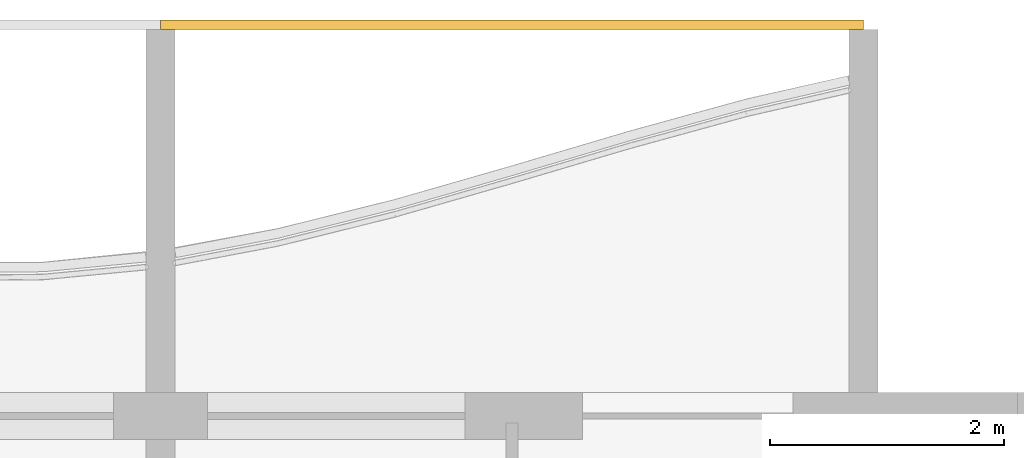
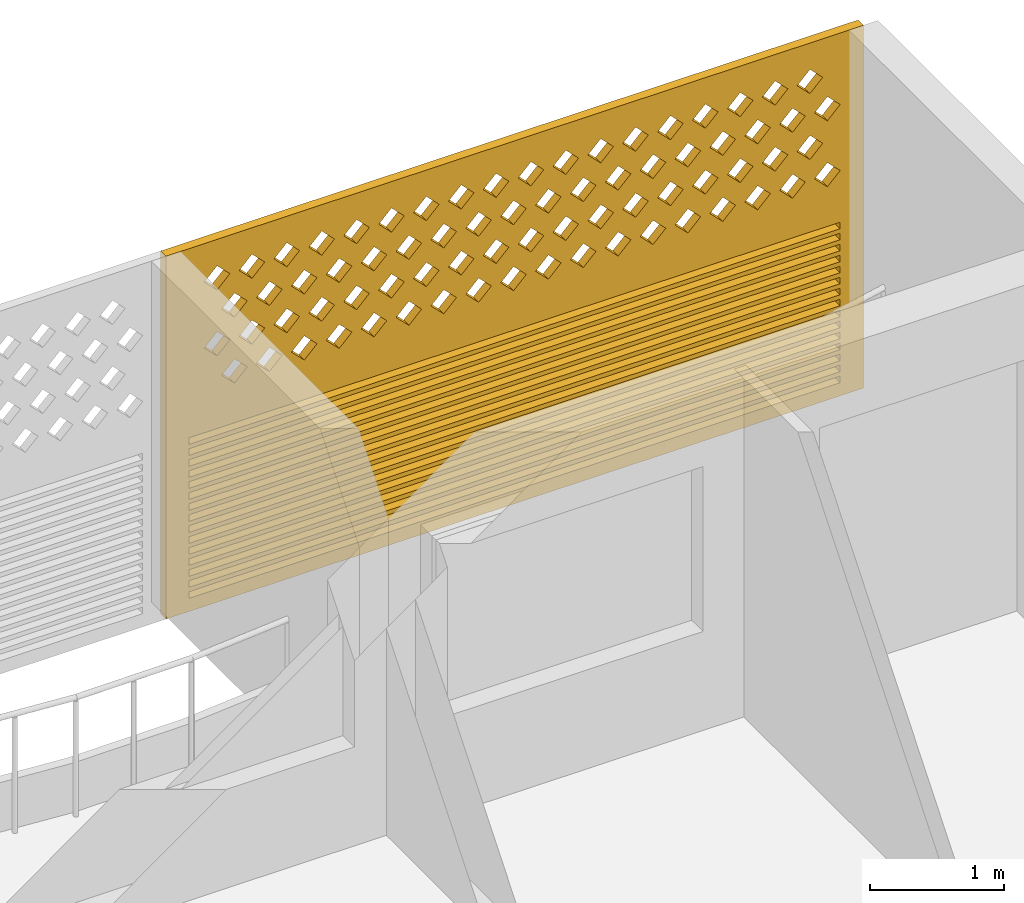
# One storey, part 26 of 26: 1 covering.
"""IFC4 building model written with IfcOpenShell, lengths in metres."""

from ifc_helpers import new_model, si_unit, direction, frame, origin, place, context, subcontext, project, spatial, polyline, outline, extrude, source, transform, mapped, material, material_profile, profile_set, type_object, element, save


model = new_model("IFC4")

# Units and contexts
model_context = context("Model", 3, precision=1e-05, world=origin(), true_north=direction((0.0, 1.0)))
body_context = subcontext(model_context, "Body", "Model", "MODEL_VIEW")
ifc_project = project(units=[si_unit("LENGTHUNIT", "METRE"), si_unit("AREAUNIT", "SQUARE_METRE"), si_unit("VOLUMEUNIT", "CUBIC_METRE"), si_unit("PLANEANGLEUNIT", "RADIAN"), si_unit("MASSUNIT", "GRAM", prefix="KILO")], contexts=[model_context])

# Site, building, storey
site_placement = place(None, origin())
site = spatial("IfcSite", under=ifc_project, at=site_placement, CompositionType="ELEMENT")
building_placement = place(site_placement, origin())
building = spatial("IfcBuilding", under=site, at=building_placement, Name="Poui Terraces", CompositionType="ELEMENT")
storey_placement = place(building_placement, frame((0.0, 0.0, 175.199951171875)))
storey = spatial("IfcBuildingStorey", under=building, at=storey_placement, Name="L48", CompositionType="ELEMENT", Elevation=175.199951171875)

# Covering
ifc_material = material(Name="Terracotta screen", Category="masonry")
ifc_material_profile = material_profile(ifc_material, outline(polyline([(-3.0, -1.64990234375), (3.0, -1.64990234375), (3.0, 1.64990234375), (-3.0, 1.64990234375), (-3.0, -1.64990234375)]), holes=[polyline([(-2.800048828125, 0.39990234375), (-2.68994140625, 0.2900390625), (-2.580078125, 0.39990234375), (-2.68994140625, 0.510009765625), (-2.800048828125, 0.39990234375)]), polyline([(-2.5, 0.39990234375), (-2.389892578125, 0.2900390625), (-2.280029296875, 0.39990234375), (-2.389892578125, 0.510009765625), (-2.5, 0.39990234375)]), polyline([(-2.199951171875, 0.39990234375), (-2.090087890625, 0.2900390625), (-1.97998046875, 0.39990234375), (-2.090087890625, 0.510009765625), (-2.199951171875, 0.39990234375)]), polyline([(-1.89990234375, 0.39990234375), (-1.7900390625, 0.2900390625), (-1.679931640625, 0.39990234375), (-1.7900390625, 0.510009765625), (-1.89990234375, 0.39990234375)]), polyline([(-1.60009765625, 0.39990234375), (-1.489990234375, 0.2900390625), (-1.3798828125, 0.39990234375), (-1.489990234375, 0.510009765625), (-1.60009765625, 0.39990234375)]), polyline([(-1.300048828125, 0.39990234375), (-1.18994140625, 0.2900390625), (-1.080078125, 0.39990234375), (-1.18994140625, 0.510009765625), (-1.300048828125, 0.39990234375)]), polyline([(-1.0, 0.39990234375), (-0.889892578125, 0.2900390625), (-0.780029296875, 0.39990234375), (-0.889892578125, 0.510009765625), (-1.0, 0.39990234375)]), polyline([(-0.699951171875, 0.39990234375), (-0.590087890625, 0.2900390625), (-0.47998046875, 0.39990234375), (-0.590087890625, 0.510009765625), (-0.699951171875, 0.39990234375)]), polyline([(-0.39990234375, 0.39990234375), (-0.2900390625, 0.2900390625), (-0.179931640625, 0.39990234375), (-0.2900390625, 0.510009765625), (-0.39990234375, 0.39990234375)]), polyline([(-0.10009765625, 0.39990234375), (0.010009765625, 0.2900390625), (0.1201171875, 0.39990234375), (0.010009765625, 0.510009765625), (-0.10009765625, 0.39990234375)]), polyline([(0.199951171875, 0.39990234375), (0.31005859375, 0.2900390625), (0.419921875, 0.39990234375), (0.31005859375, 0.510009765625), (0.199951171875, 0.39990234375)]), polyline([(0.5, 0.39990234375), (0.610107421875, 0.2900390625), (0.719970703125, 0.39990234375), (0.610107421875, 0.510009765625), (0.5, 0.39990234375)]), polyline([(0.800048828125, 0.39990234375), (0.909912109375, 0.2900390625), (1.02001953125, 0.39990234375), (0.909912109375, 0.510009765625), (0.800048828125, 0.39990234375)]), polyline([(1.10009765625, 0.39990234375), (1.2099609375, 0.2900390625), (1.320068359375, 0.39990234375), (1.2099609375, 0.510009765625), (1.10009765625, 0.39990234375)]), polyline([(1.39990234375, 0.39990234375), (1.510009765625, 0.2900390625), (1.6201171875, 0.39990234375), (1.510009765625, 0.510009765625), (1.39990234375, 0.39990234375)]), polyline([(1.699951171875, 0.39990234375), (1.81005859375, 0.2900390625), (1.919921875, 0.39990234375), (1.81005859375, 0.510009765625), (1.699951171875, 0.39990234375)]), polyline([(2.0, 0.39990234375), (2.110107421875, 0.2900390625), (2.219970703125, 0.39990234375), (2.110107421875, 0.510009765625), (2.0, 0.39990234375)]), polyline([(2.300048828125, 0.39990234375), (2.409912109375, 0.2900390625), (2.52001953125, 0.39990234375), (2.409912109375, 0.510009765625), (2.300048828125, 0.39990234375)]), polyline([(-2.64990234375, 0.699951171875), (-2.5400390625, 0.590087890625), (-2.429931640625, 0.699951171875), (-2.5400390625, 0.81005859375), (-2.64990234375, 0.699951171875)]), polyline([(-2.35009765625, 0.699951171875), (-2.239990234375, 0.590087890625), (-2.1298828125, 0.699951171875), (-2.239990234375, 0.81005859375), (-2.35009765625, 0.699951171875)]), polyline([(-2.050048828125, 0.699951171875), (-1.93994140625, 0.590087890625), (-1.830078125, 0.699951171875), (-1.93994140625, 0.81005859375), (-2.050048828125, 0.699951171875)]), polyline([(-1.75, 0.699951171875), (-1.639892578125, 0.590087890625), (-1.530029296875, 0.699951171875), (-1.639892578125, 0.81005859375), (-1.75, 0.699951171875)]), polyline([(-1.449951171875, 0.699951171875), (-1.340087890625, 0.590087890625), (-1.22998046875, 0.699951171875), (-1.340087890625, 0.81005859375), (-1.449951171875, 0.699951171875)]), polyline([(-1.14990234375, 0.699951171875), (-1.0400390625, 0.590087890625), (-0.929931640625, 0.699951171875), (-1.0400390625, 0.81005859375), (-1.14990234375, 0.699951171875)]), polyline([(-0.85009765625, 0.699951171875), (-0.739990234375, 0.590087890625), (-0.6298828125, 0.699951171875), (-0.739990234375, 0.81005859375), (-0.85009765625, 0.699951171875)]), polyline([(-0.550048828125, 0.699951171875), (-0.43994140625, 0.590087890625), (-0.330078125, 0.699951171875), (-0.43994140625, 0.81005859375), (-0.550048828125, 0.699951171875)]), polyline([(-0.25, 0.699951171875), (-0.139892578125, 0.590087890625), (-0.030029296875, 0.699951171875), (-0.139892578125, 0.81005859375), (-0.25, 0.699951171875)]), polyline([(0.050048828125, 0.699951171875), (0.159912109375, 0.590087890625), (0.27001953125, 0.699951171875), (0.159912109375, 0.81005859375), (0.050048828125, 0.699951171875)]), polyline([(0.35009765625, 0.699951171875), (0.4599609375, 0.590087890625), (0.570068359375, 0.699951171875), (0.4599609375, 0.81005859375), (0.35009765625, 0.699951171875)]), polyline([(0.64990234375, 0.699951171875), (0.760009765625, 0.590087890625), (0.8701171875, 0.699951171875), (0.760009765625, 0.81005859375), (0.64990234375, 0.699951171875)]), polyline([(0.949951171875, 0.699951171875), (1.06005859375, 0.590087890625), (1.169921875, 0.699951171875), (1.06005859375, 0.81005859375), (0.949951171875, 0.699951171875)]), polyline([(1.25, 0.699951171875), (1.360107421875, 0.590087890625), (1.469970703125, 0.699951171875), (1.360107421875, 0.81005859375), (1.25, 0.699951171875)]), polyline([(1.550048828125, 0.699951171875), (1.659912109375, 0.590087890625), (1.77001953125, 0.699951171875), (1.659912109375, 0.81005859375), (1.550048828125, 0.699951171875)]), polyline([(1.85009765625, 0.699951171875), (1.9599609375, 0.590087890625), (2.070068359375, 0.699951171875), (1.9599609375, 0.81005859375), (1.85009765625, 0.699951171875)]), polyline([(2.14990234375, 0.699951171875), (2.260009765625, 0.590087890625), (2.3701171875, 0.699951171875), (2.260009765625, 0.81005859375), (2.14990234375, 0.699951171875)]), polyline([(2.449951171875, 0.699951171875), (2.56005859375, 0.590087890625), (2.669921875, 0.699951171875), (2.56005859375, 0.81005859375), (2.449951171875, 0.699951171875)]), polyline([(-2.800048828125, 1.0), (-2.68994140625, 0.889892578125), (-2.580078125, 1.0), (-2.68994140625, 1.110107421875), (-2.800048828125, 1.0)]), polyline([(-2.5, 1.0), (-2.389892578125, 0.889892578125), (-2.280029296875, 1.0), (-2.389892578125, 1.110107421875), (-2.5, 1.0)]), polyline([(-2.199951171875, 1.0), (-2.090087890625, 0.889892578125), (-1.97998046875, 1.0), (-2.090087890625, 1.110107421875), (-2.199951171875, 1.0)]), polyline([(-1.89990234375, 1.0), (-1.7900390625, 0.889892578125), (-1.679931640625, 1.0), (-1.7900390625, 1.110107421875), (-1.89990234375, 1.0)]), polyline([(-1.60009765625, 1.0), (-1.489990234375, 0.889892578125), (-1.3798828125, 1.0), (-1.489990234375, 1.110107421875), (-1.60009765625, 1.0)]), polyline([(-1.300048828125, 1.0), (-1.18994140625, 0.889892578125), (-1.080078125, 1.0), (-1.18994140625, 1.110107421875), (-1.300048828125, 1.0)]), polyline([(-1.0, 1.0), (-0.889892578125, 0.889892578125), (-0.780029296875, 1.0), (-0.889892578125, 1.110107421875), (-1.0, 1.0)]), polyline([(-0.699951171875, 1.0), (-0.590087890625, 0.889892578125), (-0.47998046875, 1.0), (-0.590087890625, 1.110107421875), (-0.699951171875, 1.0)]), polyline([(-0.39990234375, 1.0), (-0.2900390625, 0.889892578125), (-0.179931640625, 1.0), (-0.2900390625, 1.110107421875), (-0.39990234375, 1.0)]), polyline([(-0.10009765625, 1.0), (0.010009765625, 0.889892578125), (0.1201171875, 1.0), (0.010009765625, 1.110107421875), (-0.10009765625, 1.0)]), polyline([(0.199951171875, 1.0), (0.31005859375, 0.889892578125), (0.419921875, 1.0), (0.31005859375, 1.110107421875), (0.199951171875, 1.0)]), polyline([(0.5, 1.0), (0.610107421875, 0.889892578125), (0.719970703125, 1.0), (0.610107421875, 1.110107421875), (0.5, 1.0)]), polyline([(0.800048828125, 1.0), (0.909912109375, 0.889892578125), (1.02001953125, 1.0), (0.909912109375, 1.110107421875), (0.800048828125, 1.0)]), polyline([(1.10009765625, 1.0), (1.2099609375, 0.889892578125), (1.320068359375, 1.0), (1.2099609375, 1.110107421875), (1.10009765625, 1.0)]), polyline([(1.39990234375, 1.0), (1.510009765625, 0.889892578125), (1.6201171875, 1.0), (1.510009765625, 1.110107421875), (1.39990234375, 1.0)]), polyline([(1.699951171875, 1.0), (1.81005859375, 0.889892578125), (1.919921875, 1.0), (1.81005859375, 1.110107421875), (1.699951171875, 1.0)]), polyline([(2.0, 1.0), (2.110107421875, 0.889892578125), (2.219970703125, 1.0), (2.110107421875, 1.110107421875), (2.0, 1.0)]), polyline([(2.300048828125, 1.0), (2.409912109375, 0.889892578125), (2.52001953125, 1.0), (2.409912109375, 1.110107421875), (2.300048828125, 1.0)]), polyline([(-2.64990234375, 1.300048828125), (-2.5400390625, 1.18994140625), (-2.429931640625, 1.300048828125), (-2.5400390625, 1.409912109375), (-2.64990234375, 1.300048828125)]), polyline([(-2.35009765625, 1.300048828125), (-2.239990234375, 1.18994140625), (-2.1298828125, 1.300048828125), (-2.239990234375, 1.409912109375), (-2.35009765625, 1.300048828125)]), polyline([(-2.050048828125, 1.300048828125), (-1.93994140625, 1.18994140625), (-1.830078125, 1.300048828125), (-1.93994140625, 1.409912109375), (-2.050048828125, 1.300048828125)]), polyline([(-1.75, 1.300048828125), (-1.639892578125, 1.18994140625), (-1.530029296875, 1.300048828125), (-1.639892578125, 1.409912109375), (-1.75, 1.300048828125)]), polyline([(-1.449951171875, 1.300048828125), (-1.340087890625, 1.18994140625), (-1.22998046875, 1.300048828125), (-1.340087890625, 1.409912109375), (-1.449951171875, 1.300048828125)]), polyline([(-1.14990234375, 1.300048828125), (-1.0400390625, 1.18994140625), (-0.929931640625, 1.300048828125), (-1.0400390625, 1.409912109375), (-1.14990234375, 1.300048828125)]), polyline([(-0.85009765625, 1.300048828125), (-0.739990234375, 1.18994140625), (-0.6298828125, 1.300048828125), (-0.739990234375, 1.409912109375), (-0.85009765625, 1.300048828125)]), polyline([(-0.550048828125, 1.300048828125), (-0.43994140625, 1.18994140625), (-0.330078125, 1.300048828125), (-0.43994140625, 1.409912109375), (-0.550048828125, 1.300048828125)]), polyline([(-0.25, 1.300048828125), (-0.139892578125, 1.18994140625), (-0.030029296875, 1.300048828125), (-0.139892578125, 1.409912109375), (-0.25, 1.300048828125)]), polyline([(0.050048828125, 1.300048828125), (0.159912109375, 1.18994140625), (0.27001953125, 1.300048828125), (0.159912109375, 1.409912109375), (0.050048828125, 1.300048828125)]), polyline([(0.35009765625, 1.300048828125), (0.4599609375, 1.18994140625), (0.570068359375, 1.300048828125), (0.4599609375, 1.409912109375), (0.35009765625, 1.300048828125)]), polyline([(0.64990234375, 1.300048828125), (0.760009765625, 1.18994140625), (0.8701171875, 1.300048828125), (0.760009765625, 1.409912109375), (0.64990234375, 1.300048828125)]), polyline([(0.949951171875, 1.300048828125), (1.06005859375, 1.18994140625), (1.169921875, 1.300048828125), (1.06005859375, 1.409912109375), (0.949951171875, 1.300048828125)]), polyline([(1.25, 1.300048828125), (1.360107421875, 1.18994140625), (1.469970703125, 1.300048828125), (1.360107421875, 1.409912109375), (1.25, 1.300048828125)]), polyline([(1.550048828125, 1.300048828125), (1.659912109375, 1.18994140625), (1.77001953125, 1.300048828125), (1.659912109375, 1.409912109375), (1.550048828125, 1.300048828125)]), polyline([(1.85009765625, 1.300048828125), (1.9599609375, 1.18994140625), (2.070068359375, 1.300048828125), (1.9599609375, 1.409912109375), (1.85009765625, 1.300048828125)]), polyline([(2.14990234375, 1.300048828125), (2.260009765625, 1.18994140625), (2.3701171875, 1.300048828125), (2.260009765625, 1.409912109375), (2.14990234375, 1.300048828125)]), polyline([(2.449951171875, 1.300048828125), (2.56005859375, 1.18994140625), (2.669921875, 1.300048828125), (2.56005859375, 1.409912109375), (2.449951171875, 1.300048828125)]), polyline([(-2.800048828125, -1.530029296875), (2.800048828125, -1.530029296875), (2.800048828125, -1.469970703125), (-2.800048828125, -1.469970703125), (-2.800048828125, -1.530029296875)]), polyline([(-2.800048828125, -1.429931640625), (2.800048828125, -1.429931640625), (2.800048828125, -1.3701171875), (-2.800048828125, -1.3701171875), (-2.800048828125, -1.429931640625)]), polyline([(-2.800048828125, -1.330078125), (2.800048828125, -1.330078125), (2.800048828125, -1.27001953125), (-2.800048828125, -1.27001953125), (-2.800048828125, -1.330078125)]), polyline([(-2.800048828125, -1.22998046875), (2.800048828125, -1.22998046875), (2.800048828125, -1.169921875), (-2.800048828125, -1.169921875), (-2.800048828125, -1.22998046875)]), polyline([(-2.800048828125, -1.1298828125), (2.800048828125, -1.1298828125), (2.800048828125, -1.070068359375), (-2.800048828125, -1.070068359375), (-2.800048828125, -1.1298828125)]), polyline([(-2.800048828125, -1.030029296875), (2.800048828125, -1.030029296875), (2.800048828125, -0.969970703125), (-2.800048828125, -0.969970703125), (-2.800048828125, -1.030029296875)]), polyline([(-2.800048828125, -0.929931640625), (2.800048828125, -0.929931640625), (2.800048828125, -0.8701171875), (-2.800048828125, -0.8701171875), (-2.800048828125, -0.929931640625)]), polyline([(-2.800048828125, -0.830078125), (2.800048828125, -0.830078125), (2.800048828125, -0.77001953125), (-2.800048828125, -0.77001953125), (-2.800048828125, -0.830078125)]), polyline([(-2.800048828125, -0.72998046875), (2.800048828125, -0.72998046875), (2.800048828125, -0.669921875), (-2.800048828125, -0.669921875), (-2.800048828125, -0.72998046875)]), polyline([(-2.800048828125, -0.6298828125), (2.800048828125, -0.6298828125), (2.800048828125, -0.570068359375), (-2.800048828125, -0.570068359375), (-2.800048828125, -0.6298828125)]), polyline([(-2.800048828125, -0.530029296875), (2.800048828125, -0.530029296875), (2.800048828125, -0.469970703125), (-2.800048828125, -0.469970703125), (-2.800048828125, -0.530029296875)]), polyline([(-2.800048828125, -0.429931640625), (2.800048828125, -0.429931640625), (2.800048828125, -0.3701171875), (-2.800048828125, -0.3701171875), (-2.800048828125, -0.429931640625)]), polyline([(-2.800048828125, -0.330078125), (2.800048828125, -0.330078125), (2.800048828125, -0.27001953125), (-2.800048828125, -0.27001953125), (-2.800048828125, -0.330078125)]), polyline([(-2.800048828125, -0.22998046875), (2.800048828125, -0.22998046875), (2.800048828125, -0.169921875), (-2.800048828125, -0.169921875), (-2.800048828125, -0.22998046875)]), polyline([(-2.800048828125, -0.1298828125), (2.800048828125, -0.1298828125), (2.800048828125, -0.070068359375), (-2.800048828125, -0.070068359375), (-2.800048828125, -0.1298828125)])]), Name="TERRACOTTA SCREEN AND JALOUSIE LOUVRE 6000X3300")
ifc_profile_set = profile_set([ifc_material_profile], Name="Terracotta screen")
covering_type = type_object("IfcCoveringType", Name="TERRACOTTA SCREEN AND JALOUSIE LOUVRE 6000X3300", PredefinedType="CLADDING", material=ifc_profile_set)
shared_shape = source(origin(), body_context, "Body", "SweptSolid", [
    extrude(outline(polyline([(-3.0, -1.64990234375), (3.0, -1.64990234375), (3.0, 1.64990234375), (-3.0, 1.64990234375), (-3.0, -1.64990234375)]), holes=[polyline([(-2.800048828125, 0.39990234375), (-2.68994140625, 0.2900390625), (-2.580078125, 0.39990234375), (-2.68994140625, 0.510009765625), (-2.800048828125, 0.39990234375)]), polyline([(-2.5, 0.39990234375), (-2.389892578125, 0.2900390625), (-2.280029296875, 0.39990234375), (-2.389892578125, 0.510009765625), (-2.5, 0.39990234375)]), polyline([(-2.199951171875, 0.39990234375), (-2.090087890625, 0.2900390625), (-1.97998046875, 0.39990234375), (-2.090087890625, 0.510009765625), (-2.199951171875, 0.39990234375)]), polyline([(-1.89990234375, 0.39990234375), (-1.7900390625, 0.2900390625), (-1.679931640625, 0.39990234375), (-1.7900390625, 0.510009765625), (-1.89990234375, 0.39990234375)]), polyline([(-1.60009765625, 0.39990234375), (-1.489990234375, 0.2900390625), (-1.3798828125, 0.39990234375), (-1.489990234375, 0.510009765625), (-1.60009765625, 0.39990234375)]), polyline([(-1.300048828125, 0.39990234375), (-1.18994140625, 0.2900390625), (-1.080078125, 0.39990234375), (-1.18994140625, 0.510009765625), (-1.300048828125, 0.39990234375)]), polyline([(-1.0, 0.39990234375), (-0.889892578125, 0.2900390625), (-0.780029296875, 0.39990234375), (-0.889892578125, 0.510009765625), (-1.0, 0.39990234375)]), polyline([(-0.699951171875, 0.39990234375), (-0.590087890625, 0.2900390625), (-0.47998046875, 0.39990234375), (-0.590087890625, 0.510009765625), (-0.699951171875, 0.39990234375)]), polyline([(-0.39990234375, 0.39990234375), (-0.2900390625, 0.2900390625), (-0.179931640625, 0.39990234375), (-0.2900390625, 0.510009765625), (-0.39990234375, 0.39990234375)]), polyline([(-0.10009765625, 0.39990234375), (0.010009765625, 0.2900390625), (0.1201171875, 0.39990234375), (0.010009765625, 0.510009765625), (-0.10009765625, 0.39990234375)]), polyline([(0.199951171875, 0.39990234375), (0.31005859375, 0.2900390625), (0.419921875, 0.39990234375), (0.31005859375, 0.510009765625), (0.199951171875, 0.39990234375)]), polyline([(0.5, 0.39990234375), (0.610107421875, 0.2900390625), (0.719970703125, 0.39990234375), (0.610107421875, 0.510009765625), (0.5, 0.39990234375)]), polyline([(0.800048828125, 0.39990234375), (0.909912109375, 0.2900390625), (1.02001953125, 0.39990234375), (0.909912109375, 0.510009765625), (0.800048828125, 0.39990234375)]), polyline([(1.10009765625, 0.39990234375), (1.2099609375, 0.2900390625), (1.320068359375, 0.39990234375), (1.2099609375, 0.510009765625), (1.10009765625, 0.39990234375)]), polyline([(1.39990234375, 0.39990234375), (1.510009765625, 0.2900390625), (1.6201171875, 0.39990234375), (1.510009765625, 0.510009765625), (1.39990234375, 0.39990234375)]), polyline([(1.699951171875, 0.39990234375), (1.81005859375, 0.2900390625), (1.919921875, 0.39990234375), (1.81005859375, 0.510009765625), (1.699951171875, 0.39990234375)]), polyline([(2.0, 0.39990234375), (2.110107421875, 0.2900390625), (2.219970703125, 0.39990234375), (2.110107421875, 0.510009765625), (2.0, 0.39990234375)]), polyline([(2.300048828125, 0.39990234375), (2.409912109375, 0.2900390625), (2.52001953125, 0.39990234375), (2.409912109375, 0.510009765625), (2.300048828125, 0.39990234375)]), polyline([(-2.64990234375, 0.699951171875), (-2.5400390625, 0.590087890625), (-2.429931640625, 0.699951171875), (-2.5400390625, 0.81005859375), (-2.64990234375, 0.699951171875)]), polyline([(-2.35009765625, 0.699951171875), (-2.239990234375, 0.590087890625), (-2.1298828125, 0.699951171875), (-2.239990234375, 0.81005859375), (-2.35009765625, 0.699951171875)]), polyline([(-2.050048828125, 0.699951171875), (-1.93994140625, 0.590087890625), (-1.830078125, 0.699951171875), (-1.93994140625, 0.81005859375), (-2.050048828125, 0.699951171875)]), polyline([(-1.75, 0.699951171875), (-1.639892578125, 0.590087890625), (-1.530029296875, 0.699951171875), (-1.639892578125, 0.81005859375), (-1.75, 0.699951171875)]), polyline([(-1.449951171875, 0.699951171875), (-1.340087890625, 0.590087890625), (-1.22998046875, 0.699951171875), (-1.340087890625, 0.81005859375), (-1.449951171875, 0.699951171875)]), polyline([(-1.14990234375, 0.699951171875), (-1.0400390625, 0.590087890625), (-0.929931640625, 0.699951171875), (-1.0400390625, 0.81005859375), (-1.14990234375, 0.699951171875)]), polyline([(-0.85009765625, 0.699951171875), (-0.739990234375, 0.590087890625), (-0.6298828125, 0.699951171875), (-0.739990234375, 0.81005859375), (-0.85009765625, 0.699951171875)]), polyline([(-0.550048828125, 0.699951171875), (-0.43994140625, 0.590087890625), (-0.330078125, 0.699951171875), (-0.43994140625, 0.81005859375), (-0.550048828125, 0.699951171875)]), polyline([(-0.25, 0.699951171875), (-0.139892578125, 0.590087890625), (-0.030029296875, 0.699951171875), (-0.139892578125, 0.81005859375), (-0.25, 0.699951171875)]), polyline([(0.050048828125, 0.699951171875), (0.159912109375, 0.590087890625), (0.27001953125, 0.699951171875), (0.159912109375, 0.81005859375), (0.050048828125, 0.699951171875)]), polyline([(0.35009765625, 0.699951171875), (0.4599609375, 0.590087890625), (0.570068359375, 0.699951171875), (0.4599609375, 0.81005859375), (0.35009765625, 0.699951171875)]), polyline([(0.64990234375, 0.699951171875), (0.760009765625, 0.590087890625), (0.8701171875, 0.699951171875), (0.760009765625, 0.81005859375), (0.64990234375, 0.699951171875)]), polyline([(0.949951171875, 0.699951171875), (1.06005859375, 0.590087890625), (1.169921875, 0.699951171875), (1.06005859375, 0.81005859375), (0.949951171875, 0.699951171875)]), polyline([(1.25, 0.699951171875), (1.360107421875, 0.590087890625), (1.469970703125, 0.699951171875), (1.360107421875, 0.81005859375), (1.25, 0.699951171875)]), polyline([(1.550048828125, 0.699951171875), (1.659912109375, 0.590087890625), (1.77001953125, 0.699951171875), (1.659912109375, 0.81005859375), (1.550048828125, 0.699951171875)]), polyline([(1.85009765625, 0.699951171875), (1.9599609375, 0.590087890625), (2.070068359375, 0.699951171875), (1.9599609375, 0.81005859375), (1.85009765625, 0.699951171875)]), polyline([(2.14990234375, 0.699951171875), (2.260009765625, 0.590087890625), (2.3701171875, 0.699951171875), (2.260009765625, 0.81005859375), (2.14990234375, 0.699951171875)]), polyline([(2.449951171875, 0.699951171875), (2.56005859375, 0.590087890625), (2.669921875, 0.699951171875), (2.56005859375, 0.81005859375), (2.449951171875, 0.699951171875)]), polyline([(-2.800048828125, 1.0), (-2.68994140625, 0.889892578125), (-2.580078125, 1.0), (-2.68994140625, 1.110107421875), (-2.800048828125, 1.0)]), polyline([(-2.5, 1.0), (-2.389892578125, 0.889892578125), (-2.280029296875, 1.0), (-2.389892578125, 1.110107421875), (-2.5, 1.0)]), polyline([(-2.199951171875, 1.0), (-2.090087890625, 0.889892578125), (-1.97998046875, 1.0), (-2.090087890625, 1.110107421875), (-2.199951171875, 1.0)]), polyline([(-1.89990234375, 1.0), (-1.7900390625, 0.889892578125), (-1.679931640625, 1.0), (-1.7900390625, 1.110107421875), (-1.89990234375, 1.0)]), polyline([(-1.60009765625, 1.0), (-1.489990234375, 0.889892578125), (-1.3798828125, 1.0), (-1.489990234375, 1.110107421875), (-1.60009765625, 1.0)]), polyline([(-1.300048828125, 1.0), (-1.18994140625, 0.889892578125), (-1.080078125, 1.0), (-1.18994140625, 1.110107421875), (-1.300048828125, 1.0)]), polyline([(-1.0, 1.0), (-0.889892578125, 0.889892578125), (-0.780029296875, 1.0), (-0.889892578125, 1.110107421875), (-1.0, 1.0)]), polyline([(-0.699951171875, 1.0), (-0.590087890625, 0.889892578125), (-0.47998046875, 1.0), (-0.590087890625, 1.110107421875), (-0.699951171875, 1.0)]), polyline([(-0.39990234375, 1.0), (-0.2900390625, 0.889892578125), (-0.179931640625, 1.0), (-0.2900390625, 1.110107421875), (-0.39990234375, 1.0)]), polyline([(-0.10009765625, 1.0), (0.010009765625, 0.889892578125), (0.1201171875, 1.0), (0.010009765625, 1.110107421875), (-0.10009765625, 1.0)]), polyline([(0.199951171875, 1.0), (0.31005859375, 0.889892578125), (0.419921875, 1.0), (0.31005859375, 1.110107421875), (0.199951171875, 1.0)]), polyline([(0.5, 1.0), (0.610107421875, 0.889892578125), (0.719970703125, 1.0), (0.610107421875, 1.110107421875), (0.5, 1.0)]), polyline([(0.800048828125, 1.0), (0.909912109375, 0.889892578125), (1.02001953125, 1.0), (0.909912109375, 1.110107421875), (0.800048828125, 1.0)]), polyline([(1.10009765625, 1.0), (1.2099609375, 0.889892578125), (1.320068359375, 1.0), (1.2099609375, 1.110107421875), (1.10009765625, 1.0)]), polyline([(1.39990234375, 1.0), (1.510009765625, 0.889892578125), (1.6201171875, 1.0), (1.510009765625, 1.110107421875), (1.39990234375, 1.0)]), polyline([(1.699951171875, 1.0), (1.81005859375, 0.889892578125), (1.919921875, 1.0), (1.81005859375, 1.110107421875), (1.699951171875, 1.0)]), polyline([(2.0, 1.0), (2.110107421875, 0.889892578125), (2.219970703125, 1.0), (2.110107421875, 1.110107421875), (2.0, 1.0)]), polyline([(2.300048828125, 1.0), (2.409912109375, 0.889892578125), (2.52001953125, 1.0), (2.409912109375, 1.110107421875), (2.300048828125, 1.0)]), polyline([(-2.64990234375, 1.300048828125), (-2.5400390625, 1.18994140625), (-2.429931640625, 1.300048828125), (-2.5400390625, 1.409912109375), (-2.64990234375, 1.300048828125)]), polyline([(-2.35009765625, 1.300048828125), (-2.239990234375, 1.18994140625), (-2.1298828125, 1.300048828125), (-2.239990234375, 1.409912109375), (-2.35009765625, 1.300048828125)]), polyline([(-2.050048828125, 1.300048828125), (-1.93994140625, 1.18994140625), (-1.830078125, 1.300048828125), (-1.93994140625, 1.409912109375), (-2.050048828125, 1.300048828125)]), polyline([(-1.75, 1.300048828125), (-1.639892578125, 1.18994140625), (-1.530029296875, 1.300048828125), (-1.639892578125, 1.409912109375), (-1.75, 1.300048828125)]), polyline([(-1.449951171875, 1.300048828125), (-1.340087890625, 1.18994140625), (-1.22998046875, 1.300048828125), (-1.340087890625, 1.409912109375), (-1.449951171875, 1.300048828125)]), polyline([(-1.14990234375, 1.300048828125), (-1.0400390625, 1.18994140625), (-0.929931640625, 1.300048828125), (-1.0400390625, 1.409912109375), (-1.14990234375, 1.300048828125)]), polyline([(-0.85009765625, 1.300048828125), (-0.739990234375, 1.18994140625), (-0.6298828125, 1.300048828125), (-0.739990234375, 1.409912109375), (-0.85009765625, 1.300048828125)]), polyline([(-0.550048828125, 1.300048828125), (-0.43994140625, 1.18994140625), (-0.330078125, 1.300048828125), (-0.43994140625, 1.409912109375), (-0.550048828125, 1.300048828125)]), polyline([(-0.25, 1.300048828125), (-0.139892578125, 1.18994140625), (-0.030029296875, 1.300048828125), (-0.139892578125, 1.409912109375), (-0.25, 1.300048828125)]), polyline([(0.050048828125, 1.300048828125), (0.159912109375, 1.18994140625), (0.27001953125, 1.300048828125), (0.159912109375, 1.409912109375), (0.050048828125, 1.300048828125)]), polyline([(0.35009765625, 1.300048828125), (0.4599609375, 1.18994140625), (0.570068359375, 1.300048828125), (0.4599609375, 1.409912109375), (0.35009765625, 1.300048828125)]), polyline([(0.64990234375, 1.300048828125), (0.760009765625, 1.18994140625), (0.8701171875, 1.300048828125), (0.760009765625, 1.409912109375), (0.64990234375, 1.300048828125)]), polyline([(0.949951171875, 1.300048828125), (1.06005859375, 1.18994140625), (1.169921875, 1.300048828125), (1.06005859375, 1.409912109375), (0.949951171875, 1.300048828125)]), polyline([(1.25, 1.300048828125), (1.360107421875, 1.18994140625), (1.469970703125, 1.300048828125), (1.360107421875, 1.409912109375), (1.25, 1.300048828125)]), polyline([(1.550048828125, 1.300048828125), (1.659912109375, 1.18994140625), (1.77001953125, 1.300048828125), (1.659912109375, 1.409912109375), (1.550048828125, 1.300048828125)]), polyline([(1.85009765625, 1.300048828125), (1.9599609375, 1.18994140625), (2.070068359375, 1.300048828125), (1.9599609375, 1.409912109375), (1.85009765625, 1.300048828125)]), polyline([(2.14990234375, 1.300048828125), (2.260009765625, 1.18994140625), (2.3701171875, 1.300048828125), (2.260009765625, 1.409912109375), (2.14990234375, 1.300048828125)]), polyline([(2.449951171875, 1.300048828125), (2.56005859375, 1.18994140625), (2.669921875, 1.300048828125), (2.56005859375, 1.409912109375), (2.449951171875, 1.300048828125)]), polyline([(-2.800048828125, -1.530029296875), (2.800048828125, -1.530029296875), (2.800048828125, -1.469970703125), (-2.800048828125, -1.469970703125), (-2.800048828125, -1.530029296875)]), polyline([(-2.800048828125, -1.429931640625), (2.800048828125, -1.429931640625), (2.800048828125, -1.3701171875), (-2.800048828125, -1.3701171875), (-2.800048828125, -1.429931640625)]), polyline([(-2.800048828125, -1.330078125), (2.800048828125, -1.330078125), (2.800048828125, -1.27001953125), (-2.800048828125, -1.27001953125), (-2.800048828125, -1.330078125)]), polyline([(-2.800048828125, -1.22998046875), (2.800048828125, -1.22998046875), (2.800048828125, -1.169921875), (-2.800048828125, -1.169921875), (-2.800048828125, -1.22998046875)]), polyline([(-2.800048828125, -1.1298828125), (2.800048828125, -1.1298828125), (2.800048828125, -1.070068359375), (-2.800048828125, -1.070068359375), (-2.800048828125, -1.1298828125)]), polyline([(-2.800048828125, -1.030029296875), (2.800048828125, -1.030029296875), (2.800048828125, -0.969970703125), (-2.800048828125, -0.969970703125), (-2.800048828125, -1.030029296875)]), polyline([(-2.800048828125, -0.929931640625), (2.800048828125, -0.929931640625), (2.800048828125, -0.8701171875), (-2.800048828125, -0.8701171875), (-2.800048828125, -0.929931640625)]), polyline([(-2.800048828125, -0.830078125), (2.800048828125, -0.830078125), (2.800048828125, -0.77001953125), (-2.800048828125, -0.77001953125), (-2.800048828125, -0.830078125)]), polyline([(-2.800048828125, -0.72998046875), (2.800048828125, -0.72998046875), (2.800048828125, -0.669921875), (-2.800048828125, -0.669921875), (-2.800048828125, -0.72998046875)]), polyline([(-2.800048828125, -0.6298828125), (2.800048828125, -0.6298828125), (2.800048828125, -0.570068359375), (-2.800048828125, -0.570068359375), (-2.800048828125, -0.6298828125)]), polyline([(-2.800048828125, -0.530029296875), (2.800048828125, -0.530029296875), (2.800048828125, -0.469970703125), (-2.800048828125, -0.469970703125), (-2.800048828125, -0.530029296875)]), polyline([(-2.800048828125, -0.429931640625), (2.800048828125, -0.429931640625), (2.800048828125, -0.3701171875), (-2.800048828125, -0.3701171875), (-2.800048828125, -0.429931640625)]), polyline([(-2.800048828125, -0.330078125), (2.800048828125, -0.330078125), (2.800048828125, -0.27001953125), (-2.800048828125, -0.27001953125), (-2.800048828125, -0.330078125)]), polyline([(-2.800048828125, -0.22998046875), (2.800048828125, -0.22998046875), (2.800048828125, -0.169921875), (-2.800048828125, -0.169921875), (-2.800048828125, -0.22998046875)]), polyline([(-2.800048828125, -0.1298828125), (2.800048828125, -0.1298828125), (2.800048828125, -0.070068359375), (-2.800048828125, -0.070068359375), (-2.800048828125, -0.1298828125)])]), origin(), (0.0, 0.0, 1.0), 0.080078125),
])
covering_placement = place(storey_placement, frame((75.0, 44.5, 1.449951171875), z_axis=(0.0, 1.0, 0.0), x_axis=(-1.0, 0.0, 0.0)))
element("IfcCovering", 1, at=covering_placement, inside=storey, type_object=covering_type, Name="SOLAR SCREEN AND JALOUSIE LOUVRE", PredefinedType="CLADDING", context=body_context, shape_type="MappedRepresentation", body=[
    mapped(shared_shape, transform((0.0, 0.0, 0.0))),
])

save(model, "model.ifc")
